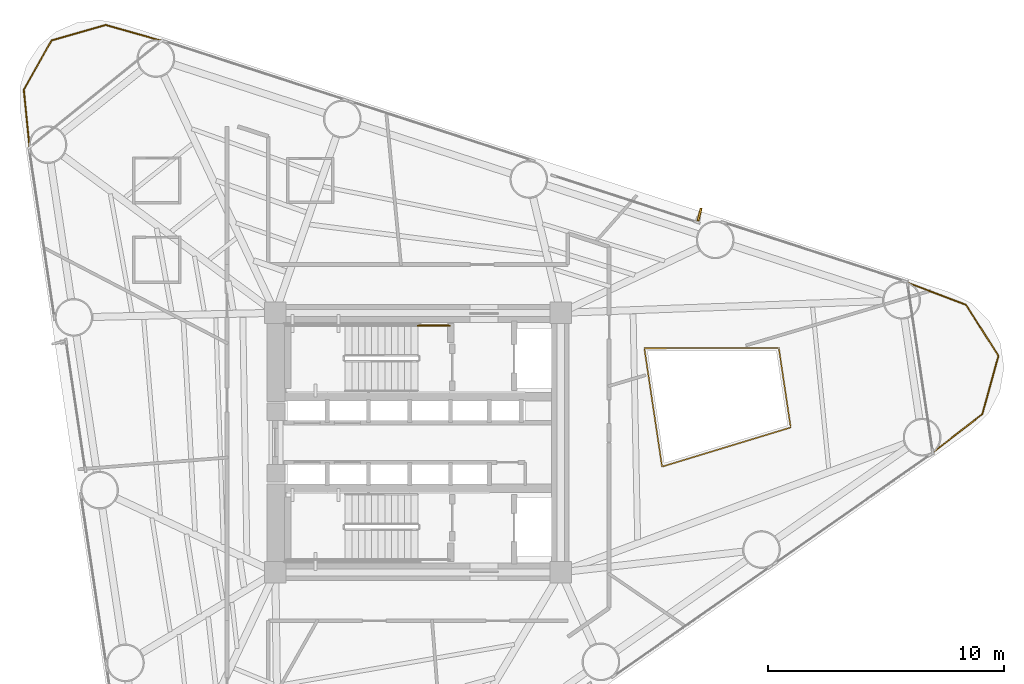
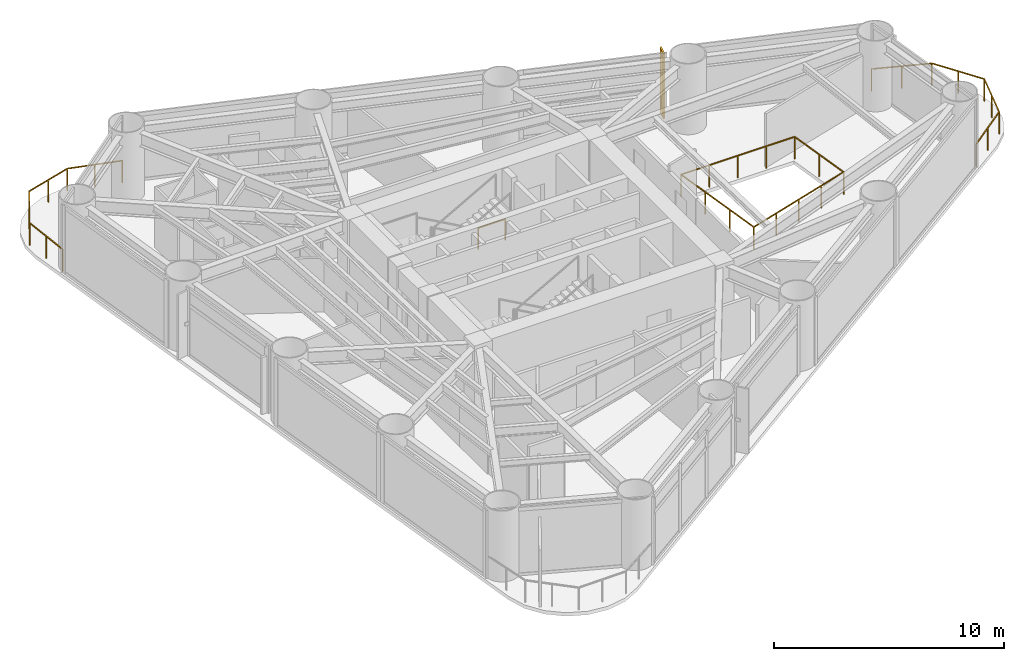
# One storey, part 9 of 9: 4 railings, 1 shading device.
"""IFC4 building model written with IfcOpenShell, lengths in metres."""

import ifcopenshell
import ifcopenshell.guid

model = None  # the IFC model being written
_history = None  # IfcOwnerHistory: only IFC2X3 demands one
_inside = {}  # id of a spatial element -> (the spatial element, [elements in it])
_under = {}  # id of a project, library or spatial element -> (it, [spatial elements below it])
_declared = {}  # id of a project -> (the project, [libraries it declares])
_typed = {}  # id of a type object -> (the type object, [elements of that type])
_made_of = {}  # id of a material, layer set ... -> (it, [elements and type objects made of it])


def new_model(schema):
    """Start an empty IFC model of exactly this schema.

    Asked for "IFC4X3", IfcOpenShell would pick the latest addendum, in which some entities
    have other attributes; the version numbers below select the first issue.
    IFC2X3 requires an IfcOwnerHistory on every rooted entity: one is made here for all.
    """
    global model, _history
    if schema == "IFC4X3":
        model = ifcopenshell.file(schema_version=(4, 3, 0, 0))
    else:
        model = ifcopenshell.file(schema=schema)
    _inside.clear()
    _under.clear()
    _declared.clear()
    _typed.clear()
    _made_of.clear()
    _history = None
    if model.schema == "IFC2X3":
        org = make("IfcOrganization", Name="unknown")
        user = make(
            "IfcPersonAndOrganization",
            ThePerson=make("IfcPerson", FamilyName="unknown"),
            TheOrganization=org,
        )
        app = make(
            "IfcApplication",
            ApplicationDeveloper=org,
            Version="unknown",
            ApplicationFullName="unknown",
            ApplicationIdentifier="unknown",
        )
        _history = make(
            "IfcOwnerHistory",
            OwningUser=user,
            OwningApplication=app,
            ChangeAction="ADDED",
            CreationDate=0,
        )
    return model


def make(cls, **values):
    """One entity of the class cls with the attributes given. An attribute that is None is left unset."""
    return model.create_entity(
        cls, **{name: value for name, value in values.items() if value is not None}
    )


def rooted(cls, **values):
    """An entity with a GlobalId (a new one), such as an element, a storey or a relation."""
    return make(cls, GlobalId=ifcopenshell.guid.new(), OwnerHistory=_history, **values)


def si_unit(unit_type, name, prefix=None):
    """IfcSIUnit, for example si_unit("LENGTHUNIT", "METRE", prefix="MILLI")."""
    return make("IfcSIUnit", UnitType=unit_type, Prefix=prefix, Name=name)


def assignment(units):
    """IfcUnitAssignment: the units of a project."""
    return None if units is None else make("IfcUnitAssignment", Units=units)


def point(xyz):
    """IfcCartesianPoint."""
    return None if xyz is None else make("IfcCartesianPoint", Coordinates=xyz)


def direction(xyz):
    """IfcDirection."""
    return None if xyz is None else make("IfcDirection", DirectionRatios=xyz)


def frame(location, z_axis=None, x_axis=None):
    """IfcAxis2Placement3D, a coordinate frame: its origin and axes. An axis left out is left unset."""
    return make(
        "IfcAxis2Placement3D",
        Location=point(location),
        Axis=direction(z_axis),
        RefDirection=direction(x_axis),
    )


def frame_2d(location, x_axis=None):
    """IfcAxis2Placement2D, a coordinate frame in the plane: its origin and x axis."""
    return make(
        "IfcAxis2Placement2D", Location=point(location), RefDirection=direction(x_axis)
    )


def origin():
    """The frame at (0, 0, 0) with its axes left unset."""
    return frame((0.0, 0.0, 0.0))


def origin_2d():
    """The frame at (0, 0) in the plane with its x axis left unset."""
    return frame_2d((0.0, 0.0))


def place(relative_to, where):
    """IfcLocalPlacement: puts the frame where relative to a parent placement (None: the world)."""
    return make(
        "IfcLocalPlacement", PlacementRelTo=relative_to, RelativePlacement=where
    )


def context(
    kind, dimensions, precision=None, world=None, true_north=None, identifier=None
):
    """IfcGeometricRepresentationContext, for example the 3D "Model" context."""
    return make(
        "IfcGeometricRepresentationContext",
        ContextIdentifier=identifier,
        ContextType=kind,
        CoordinateSpaceDimension=dimensions,
        Precision=precision,
        WorldCoordinateSystem=world,
        TrueNorth=true_north,
    )


def subcontext(parent, identifier, kind, view, scale=None):
    """IfcGeometricRepresentationSubContext, for example "Body" below "Model"."""
    return make(
        "IfcGeometricRepresentationSubContext",
        ContextIdentifier=identifier,
        ContextType=kind,
        ParentContext=parent,
        TargetScale=scale,
        TargetView=view,
    )


def project(units=None, contexts=None):
    """IfcProject with its units and contexts."""
    return rooted(
        "IfcProject",
        Name="project",
        RepresentationContexts=contexts,
        UnitsInContext=assignment(units),
    )


def spatial(cls, under=None, at=None, **own):
    """A site, building, storey or space (cls), placed at a placement, below another one or the project."""
    s = rooted(cls, ObjectPlacement=at, **own)
    if under is not None:
        _under.setdefault(under.id(), (under, []))[1].append(s)
    return s


def profile(cls, at=None, kind="AREA", **sizes):
    """A parametric profile (cls). Its sizes go by their IFC names, for example OverallWidth=200.0."""
    return make(cls, ProfileType=kind, Position=at, **sizes)


def rectangle(**sizes):
    """IfcRectangleProfileDef."""
    return profile("IfcRectangleProfileDef", **sizes)


def extrude(swept, where, along, depth):
    """IfcExtrudedAreaSolid: the profile swept, set in the frame where, extruded along a direction by depth."""
    return make(
        "IfcExtrudedAreaSolid",
        SweptArea=swept,
        Position=where,
        ExtrudedDirection=direction(along),
        Depth=depth,
    )


def shape(context_of_items, identifier, shape_type, items):
    """IfcShapeRepresentation: the items that make up one representation, for example the "Body"."""
    return make(
        "IfcShapeRepresentation",
        ContextOfItems=context_of_items,
        RepresentationIdentifier=identifier,
        RepresentationType=shape_type,
        Items=items,
    )


def source(mapping_origin, context_of_items, identifier, shape_type, items):
    """IfcRepresentationMap: a shape defined once, which mapped items show again and again."""
    return make(
        "IfcRepresentationMap",
        MappingOrigin=mapping_origin,
        MappedRepresentation=shape(context_of_items, identifier, shape_type, items),
    )


def transform(
    local_origin,
    x_axis=None,
    y_axis=None,
    z_axis=None,
    scale=None,
    scale2=None,
    scale3=None,
    uniform=True,
):
    """IfcCartesianTransformationOperator3D, or its non-uniform kind. x_axis, y_axis, z_axis: its Axis1, 2, 3."""
    if uniform:
        return make(
            "IfcCartesianTransformationOperator3D",
            Axis1=direction(x_axis),
            Axis2=direction(y_axis),
            LocalOrigin=point(local_origin),
            Scale=scale,
            Axis3=direction(z_axis),
        )
    return make(
        "IfcCartesianTransformationOperator3DnonUniform",
        Axis1=direction(x_axis),
        Axis2=direction(y_axis),
        LocalOrigin=point(local_origin),
        Scale=scale,
        Axis3=direction(z_axis),
        Scale2=scale2,
        Scale3=scale3,
    )


def mapped(mapping_source, mapping_target):
    """IfcMappedItem: shows the shape of a source again, moved by a transform."""
    return make(
        "IfcMappedItem", MappingSource=mapping_source, MappingTarget=mapping_target
    )


def material(Name=None, Category=None):
    """IfcMaterial."""
    return make("IfcMaterial", Name=Name, Category=Category)


def material_profile(
    of_material, cross_section, Name=None, Category=None, Priority=None
):
    """IfcMaterialProfile: a cross section and its material."""
    return make(
        "IfcMaterialProfile",
        Name=Name,
        Material=of_material,
        Profile=cross_section,
        Priority=Priority,
        Category=Category,
    )


def profile_set(profiles, Name=None, composite=None):
    """IfcMaterialProfileSet."""
    return make(
        "IfcMaterialProfileSet",
        Name=Name,
        MaterialProfiles=profiles,
        CompositeProfile=composite,
    )


def made_of(thing, what):
    """Note that an element or type object is made of a material, layer set ...; save() writes the relation."""
    if what is not None:
        _made_of.setdefault(what.id(), (what, []))[1].append(thing)
    return thing


def type_object(cls, material=None, **own):
    """A type object (cls), such as IfcWallType, which elements share."""
    return made_of(rooted(cls, **own), material)


def element(
    cls,
    number,
    at=None,
    inside=None,
    cuts=None,
    type_object=None,
    material=None,
    context=None,
    identifier="Body",
    shape_type=None,
    held_by="IfcProductDefinitionShape",
    body=None,
    shapes=None,
    **own,
):
    """One element of the class cls, such as IfcWall. Its Tag is "e" and its number.

    at: its placement. inside: the storey or other place that contains it. cuts: it is an
    opening in that element (IfcRelVoidsElement). A single representation is given by context,
    identifier, shape_type and body (its items); several are given by shapes. held_by: the class
    of the entity that holds the representations. save() writes the other relations.
    """
    e = rooted(cls, Tag="e%d" % number, ObjectPlacement=at, **own)
    if body is not None:
        shapes = [shape(context, identifier, shape_type, body)]
    if shapes is not None:
        e.Representation = make(held_by, Representations=shapes)
    if inside is not None:
        _inside.setdefault(inside.id(), (inside, []))[1].append(e)
    if cuts is not None:
        rooted(
            "IfcRelVoidsElement", RelatingBuildingElement=cuts, RelatedOpeningElement=e
        )
    if type_object is not None:
        _typed.setdefault(type_object.id(), (type_object, []))[1].append(e)
    return made_of(e, material)


def aggregate(whole, parts):
    """IfcRelAggregates: a whole, such as a stair, and the parts it consists of."""
    return rooted("IfcRelAggregates", RelatingObject=whole, RelatedObjects=parts)


def save(model, path):
    """Write the relations noted so far, then the file.

    IfcRelAggregates (storeys below a building ...), IfcRelContainedInSpatialStructure (elements
    in a storey), IfcRelDefinesByType, IfcRelAssociatesMaterial and IfcRelDeclares: one each for
    every whole, place, type object, material and project.
    """
    for whole, parts in _under.values():
        aggregate(whole, parts)
    for where, things in _inside.values():
        rooted(
            "IfcRelContainedInSpatialStructure",
            RelatedElements=things,
            RelatingStructure=where,
        )
    for kind, things in _typed.values():
        rooted("IfcRelDefinesByType", RelatedObjects=things, RelatingType=kind)
    for what, things in _made_of.values():
        rooted("IfcRelAssociatesMaterial", RelatedObjects=things, RelatingMaterial=what)
    for by, libraries in _declared.values():
        rooted("IfcRelDeclares", RelatingContext=by, RelatedDefinitions=libraries)
    model.write(path)


model = new_model("IFC4")

# Units and contexts
model_context = context("Model", 3, precision=1e-05, world=origin(), true_north=direction((0.0, 1.0)))
body_context = subcontext(model_context, "Body", "Model", "MODEL_VIEW")
ifc_project = project(units=[si_unit("LENGTHUNIT", "METRE"), si_unit("AREAUNIT", "SQUARE_METRE"), si_unit("VOLUMEUNIT", "CUBIC_METRE"), si_unit("PLANEANGLEUNIT", "RADIAN"), si_unit("MASSUNIT", "GRAM", prefix="KILO")], contexts=[model_context])

# Site, building, storey
site_placement = place(None, origin())
site = spatial("IfcSite", under=ifc_project, at=site_placement, CompositionType="ELEMENT")
building_placement = place(site_placement, origin())
building = spatial("IfcBuilding", under=site, at=building_placement, Name="Yunling Apex Tower", CompositionType="ELEMENT")
storey_placement = place(building_placement, frame((0.0, 0.0, 73.550048828125)))
storey = spatial("IfcBuildingStorey", under=building, at=storey_placement, Name="L19", CompositionType="ELEMENT", Elevation=73.550048828125)

# Railings
ifc_material_1 = material(Name="Bronze anodised aluminium", Category="aluminium")
railing_type_1 = type_object("IfcRailingType", Name="RL-BAL-1200", PredefinedType="BALUSTRADE", material=ifc_material_1)
railing_1_placement = place(storey_placement, frame((20.747314453125, 6.783935546875, 0.0)))
element("IfcRailing", 1, at=railing_1_placement, inside=storey, type_object=railing_type_1, Name="RL-CRNSILL-L19-1", PredefinedType="BALUSTRADE", context=body_context, shape_type="SweptSolid", body=[
    extrude(rectangle(XDim=0.0439453125, YDim=0.0439453125, at=origin_2d()), origin(), (0.0, 0.0, 1.0), 1.199951171875),
    extrude(rectangle(XDim=0.0439453125, YDim=0.0439453125, at=origin_2d()), frame((2.481689453125, -0.941650390625, 0.0)), (0.0, 0.0, 1.0), 1.199951171875),
    extrude(rectangle(XDim=0.050048828125, YDim=0.050048828125, at=origin_2d()), frame((0.035888671875, -0.013671875, 1.1748046875), z_axis=(0.934957554838, -0.354759595574, 0.0), x_axis=(0.354759595574, 0.934957554838, 0.0)), (0.0, 0.0, 1.0), 2.57763671875),
    extrude(rectangle(XDim=0.0439453125, YDim=0.0439453125, at=origin_2d()), frame((1.24072265625, -0.470703125, 0.0)), (0.0, 0.0, 1.0), 1.14599609375),
    extrude(rectangle(XDim=0.0439453125, YDim=0.0439453125, at=origin_2d()), frame((3.859375, -3.1064453125, 0.0)), (0.0, 0.0, 1.0), 1.199951171875),
    extrude(rectangle(XDim=0.050048828125, YDim=0.050048828125, at=origin_2d()), frame((2.502197265625, -0.973876953125, 1.1748046875), z_axis=(0.536900117586, -0.843645816523, 0.0), x_axis=(0.843645816523, 0.536900117586, 0.0)), (0.0, 0.0, 1.0), 2.4892578125),
    extrude(rectangle(XDim=0.0439453125, YDim=0.0439453125, at=origin_2d()), frame((3.17041015625, -2.02392578125, 0.0)), (0.0, 0.0, 1.0), 1.14599609375),
    extrude(rectangle(XDim=0.0439453125, YDim=0.0439453125, at=origin_2d()), frame((3.174560546875, -5.579345703125, 0.0)), (0.0, 0.0, 1.0), 1.199951171875),
    extrude(rectangle(XDim=0.050048828125, YDim=0.050048828125, at=origin_2d()), frame((3.84912109375, -3.143310546875, 1.1748046875), z_axis=(-0.26688316154, -0.963728892421, 0.0), x_axis=(0.963728892421, -0.26688316154, 0.0)), (0.0, 0.0, 1.0), 2.4892578125),
    extrude(rectangle(XDim=0.0439453125, YDim=0.0439453125, at=origin_2d()), frame((3.51708984375, -4.3427734375, 0.0)), (0.0, 0.0, 1.0), 1.14599609375),
    extrude(rectangle(XDim=0.0439453125, YDim=0.0439453125, at=origin_2d()), frame((1.07666015625, -7.20556640625, 0.0)), (0.0, 0.0, 1.0), 1.199951171875),
    extrude(rectangle(XDim=0.050048828125, YDim=0.050048828125, at=origin_2d()), frame((3.144287109375, -5.602783203125, 1.1748046875), z_axis=(-0.79035158758, -0.612653546476, 0.0), x_axis=(0.612653546476, -0.79035158758, 0.0)), (0.0, 0.0, 1.0), 2.57763671875),
    extrude(rectangle(XDim=0.0439453125, YDim=0.0439453125, at=origin_2d()), frame((2.12548828125, -6.392578125, 0.0)), (0.0, 0.0, 1.0), 1.14599609375),
])
railing_2_placement = place(storey_placement, frame((-16.470458984375, 12.5126953125, 0.0)))
element("IfcRailing", 2, at=railing_2_placement, inside=storey, type_object=railing_type_1, Name="RL-CRNSILL-L19-2", PredefinedType="BALUSTRADE", context=body_context, shape_type="SweptSolid", body=[
    extrude(rectangle(XDim=0.0439453125, YDim=0.0439453125, at=origin_2d()), origin(), (0.0, 0.0, 1.0), 1.199951171875),
    extrude(rectangle(XDim=0.0439453125, YDim=0.0439453125, at=origin_2d()), frame((-0.244140625, 2.449462890625, 0.0)), (0.0, 0.0, 1.0), 1.199951171875),
    extrude(rectangle(XDim=0.050048828125, YDim=0.050048828125, at=origin_2d()), frame((-0.00390625, 0.0380859375, 1.1748046875), z_axis=(-0.099179661385, 0.995069542679, 0.0), x_axis=(-0.995069542679, -0.099179661385, 0.0)), (0.0, 0.0, 1.0), 2.385009765625),
    extrude(rectangle(XDim=0.0439453125, YDim=0.0439453125, at=origin_2d()), frame((-0.1220703125, 1.224609375, 0.0)), (0.0, 0.0, 1.0), 1.14599609375),
    extrude(rectangle(XDim=0.0439453125, YDim=0.0439453125, at=origin_2d()), frame((0.935302734375, 4.534912109375, 0.0)), (0.0, 0.0, 1.0), 1.199951171875),
    extrude(rectangle(XDim=0.050048828125, YDim=0.050048828125, at=origin_2d()), frame((-0.225341796875, 2.48291015625, 1.1748046875), z_axis=(0.492282210089, 0.87043565278, 0.0), x_axis=(-0.87043565278, 0.492282210089, 0.0)), (0.0, 0.0, 1.0), 2.319091796875),
    extrude(rectangle(XDim=0.0439453125, YDim=0.0439453125, at=origin_2d()), frame((0.345703125, 3.4921875, 0.0)), (0.0, 0.0, 1.0), 1.14599609375),
    extrude(rectangle(XDim=0.0439453125, YDim=0.0439453125, at=origin_2d()), frame((3.231201171875, 5.19189453125, 0.0)), (0.0, 0.0, 1.0), 1.199951171875),
    extrude(rectangle(XDim=0.050048828125, YDim=0.050048828125, at=origin_2d()), frame((0.97216796875, 4.54541015625, 1.1748046875), z_axis=(0.961411988788, 0.275112682032, 0.0), x_axis=(-0.275112682032, 0.961411988788, 0.0)), (0.0, 0.0, 1.0), 2.311279296875),
    extrude(rectangle(XDim=0.0439453125, YDim=0.0439453125, at=origin_2d()), frame((2.083251953125, 4.86328125, 0.0)), (0.0, 0.0, 1.0), 1.14599609375),
    extrude(rectangle(XDim=0.0439453125, YDim=0.0439453125, at=origin_2d()), frame((5.60009765625, 4.52001953125, 0.0)), (0.0, 0.0, 1.0), 1.199951171875),
    extrude(rectangle(XDim=0.050048828125, YDim=0.050048828125, at=origin_2d()), frame((3.26806640625, 5.181396484375, 1.1748046875), z_axis=(0.962053444414, -0.272861082039, 0.0), x_axis=(0.272861082039, 0.962053444414, 0.0)), (0.0, 0.0, 1.0), 2.3857421875),
    extrude(rectangle(XDim=0.0439453125, YDim=0.0439453125, at=origin_2d()), frame((4.41552734375, 4.85595703125, 0.0)), (0.0, 0.0, 1.0), 1.14599609375),
])
railing_3_placement = place(storey_placement, frame((9.593994140625, 4.001220703125, 0.0)))
element("IfcRailing", 3, at=railing_3_placement, inside=storey, type_object=railing_type_1, Name="RL-TATR-L19", PredefinedType="BALUSTRADE", context=body_context, shape_type="SweptSolid", body=[
    extrude(rectangle(XDim=0.0439453125, YDim=0.0439453125, at=origin_2d()), origin(), (0.0, 0.0, 1.0), 1.199951171875),
    extrude(rectangle(XDim=0.0439453125, YDim=0.0439453125, at=origin_2d()), frame((5.70166015625, 0.007080078125, 0.0)), (0.0, 0.0, 1.0), 1.199951171875),
    extrude(rectangle(XDim=0.050048828125, YDim=0.050048828125, at=origin_2d()), frame((0.038330078125, 0.0, 1.1748046875), z_axis=(0.99999922902, 0.001241756343, 0.0), x_axis=(-0.001241756343, 0.99999922902, 0.0)), (0.0, 0.0, 1.0), 5.625),
    extrude(rectangle(XDim=0.0439453125, YDim=0.0439453125, at=origin_2d()), frame((1.42529296875, 0.001708984375, 0.0)), (0.0, 0.0, 1.0), 1.14599609375),
    extrude(rectangle(XDim=0.0439453125, YDim=0.0439453125, at=origin_2d()), frame((2.850830078125, 0.00341796875, 0.0)), (0.0, 0.0, 1.0), 1.14599609375),
    extrude(rectangle(XDim=0.0439453125, YDim=0.0439453125, at=origin_2d()), frame((4.2763671875, 0.00537109375, 0.0)), (0.0, 0.0, 1.0), 1.14599609375),
    extrude(rectangle(XDim=0.0439453125, YDim=0.0439453125, at=origin_2d()), frame((6.205078125, -3.362548828125, 0.0)), (0.0, 0.0, 1.0), 1.199951171875),
    extrude(rectangle(XDim=0.050048828125, YDim=0.050048828125, at=origin_2d()), frame((5.707275390625, -0.03076171875, 1.1748046875), z_axis=(0.147758753696, -0.98902343284, 0.0), x_axis=(0.98902343284, 0.147758753696, 0.0)), (0.0, 0.0, 1.0), 3.330322265625),
    extrude(rectangle(XDim=0.0439453125, YDim=0.0439453125, at=origin_2d()), frame((5.953369140625, -1.677734375, 0.0)), (0.0, 0.0, 1.0), 1.14599609375),
    extrude(rectangle(XDim=0.0439453125, YDim=0.0439453125, at=origin_2d()), frame((0.75048828125, -5.0224609375, 0.0)), (0.0, 0.0, 1.0), 1.199951171875),
    extrude(rectangle(XDim=0.050048828125, YDim=0.050048828125, at=origin_2d()), frame((6.16845703125, -3.373779296875, 1.1748046875), z_axis=(-0.956682695857, -0.291132649231, 0.0), x_axis=(0.291132649231, -0.956682695857, 0.0)), (0.0, 0.0, 1.0), 5.625),
    extrude(rectangle(XDim=0.0439453125, YDim=0.0439453125, at=origin_2d()), frame((4.84130859375, -3.777587890625, 0.0)), (0.0, 0.0, 1.0), 1.14599609375),
    extrude(rectangle(XDim=0.0439453125, YDim=0.0439453125, at=origin_2d()), frame((3.477783203125, -4.1923828125, 0.0)), (0.0, 0.0, 1.0), 1.14599609375),
    extrude(rectangle(XDim=0.0439453125, YDim=0.0439453125, at=origin_2d()), frame((2.1142578125, -4.607421875, 0.0)), (0.0, 0.0, 1.0), 1.14599609375),
    extrude(rectangle(XDim=0.050048828125, YDim=0.050048828125, at=origin_2d()), frame((0.744873046875, -4.984619140625, 1.1748046875), z_axis=(-0.147785616119, 0.989019419257, 0.0), x_axis=(-0.989019419257, -0.147785616119, 0.0)), (0.0, 0.0, 1.0), 5.00146484375),
    extrude(rectangle(XDim=0.0439453125, YDim=0.0439453125, at=origin_2d()), frame((0.500244140625, -3.348388671875, 0.0)), (0.0, 0.0, 1.0), 1.14599609375),
    extrude(rectangle(XDim=0.0439453125, YDim=0.0439453125, at=origin_2d()), frame((0.250244140625, -1.674072265625, 0.0)), (0.0, 0.0, 1.0), 1.14599609375),
])
ifc_material_2 = material(Name="Steel Q355B", Category="steel")
railing_type_2 = type_object("IfcRailingType", Name="RL-GRD-1150", PredefinedType="GUARDRAIL", material=ifc_material_2)
railing_4_placement = place(storey_placement, frame((1.35009765625, 4.9599609375, 0.0)))
element("IfcRailing", 4, at=railing_4_placement, inside=storey, type_object=railing_type_2, Name="L19 ST-1 stair guard 6", PredefinedType="GUARDRAIL", context=body_context, shape_type="SweptSolid", body=[
    extrude(rectangle(XDim=0.0439453125, YDim=0.0439453125, at=origin_2d()), origin(), (0.0, 0.0, 1.0), 1.14990234375),
    extrude(rectangle(XDim=0.0439453125, YDim=0.0439453125, at=origin_2d()), frame((-1.360107421875, 0.0, 0.0)), (0.0, 0.0, 1.0), 1.14990234375),
    extrude(rectangle(XDim=0.050048828125, YDim=0.050048828125, at=origin_2d()), frame((-0.038330078125, 0.0, 1.125), z_axis=(-1.0, 0.0, 0.0), x_axis=(0.0, -1.0, 0.0)), (0.0, 0.0, 1.0), 1.283447265625),
])

# Shading device
ifc_material_profile = material_profile(ifc_material_1, rectangle(XDim=0.0849609375, YDim=0.550048828125, at=origin_2d()))
ifc_profile_set = profile_set([ifc_material_profile], Name="Bronze anodised aluminium")
shading_device_type = type_object("IfcShadingDeviceType", Name="FN-BRZ-3", PredefinedType="USERDEFINED", material=ifc_profile_set)
shared_shape = source(origin(), body_context, "Body", "SweptSolid", [
    extrude(rectangle(XDim=0.0849609375, YDim=0.550048828125, at=origin_2d()), origin(), (0.0, 0.0, 1.0), 3.445068359375),
])
shading_device_placement = place(storey_placement, frame((11.934814453125, 9.666748046875, 0.06005859375), z_axis=(0.0, 0.0, 1.0), x_axis=(-0.969402520914, 0.245476582274, 0.0)))
element("IfcShadingDevice", 5, at=shading_device_placement, inside=storey, type_object=shading_device_type, Name="CW-L19-F2-B2-FIN-01", ObjectType="FIN", PredefinedType="USERDEFINED", context=body_context, shape_type="MappedRepresentation", body=[
    mapped(shared_shape, transform((0.0, 0.0, 0.0), scale=1.0)),
])

save(model, "model.ifc")
